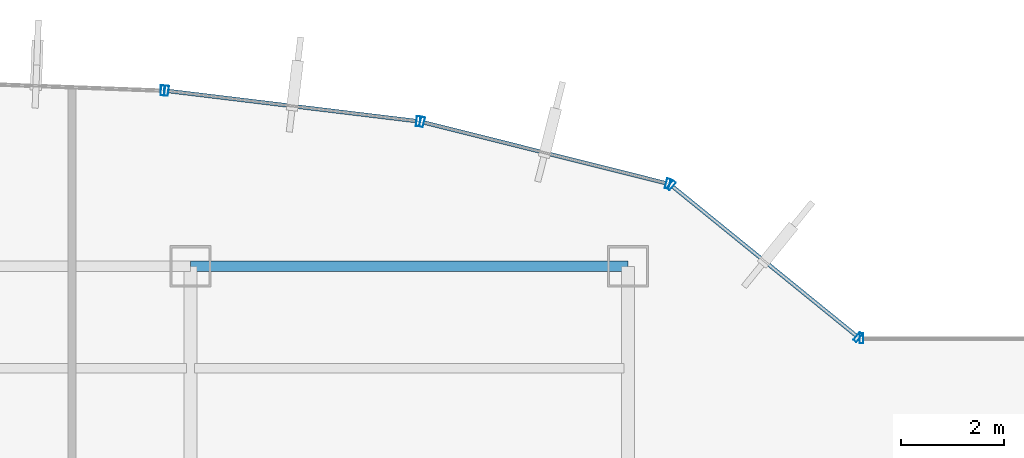
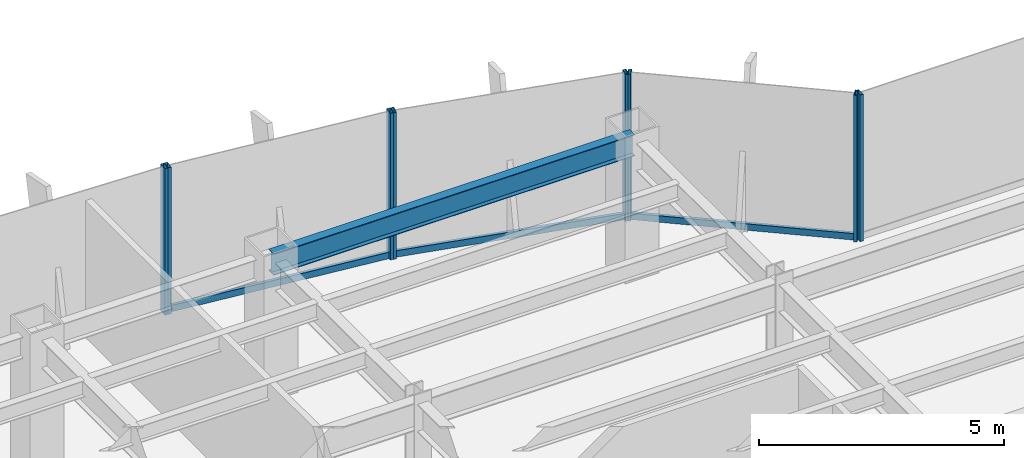
# One storey, part 18 of 26: 11 members, 1 beam, 5 elements without a shape of their own.
"""IFC4 building model written with IfcOpenShell, lengths in metres."""

from ifc_helpers import new_model, si_unit, derived_unit, direction, frame, origin, origin_2d, place, context, subcontext, project, spatial, hollow_rectangle, i_section, extrude, source, transform, mapped, material, material_profile, profile_set, type_object, element, aggregate, save


model = new_model("IFC4")

# Units and contexts
model_context = context("Model", 3, precision=1e-05, world=origin(), true_north=direction((0.0, 1.0)))
body_context = subcontext(model_context, "Body", "Model", "MODEL_VIEW")
ifc_project = project(units=[si_unit("LENGTHUNIT", "METRE"), si_unit("AREAUNIT", "SQUARE_METRE"), si_unit("VOLUMEUNIT", "CUBIC_METRE"), si_unit("PLANEANGLEUNIT", "RADIAN"), si_unit("MASSUNIT", "GRAM", prefix="KILO"), derived_unit("THERMALTRANSMITTANCEUNIT", [(si_unit("POWERUNIT", "WATT"), 1), (si_unit("LENGTHUNIT", "METRE"), -2), (si_unit("THERMODYNAMICTEMPERATUREUNIT", "KELVIN"), -1)])], contexts=[model_context])

# Site, building, storey
site_placement = place(None, origin())
site = spatial("IfcSite", under=ifc_project, at=site_placement, CompositionType="ELEMENT")
building_placement = place(site_placement, origin())
building = spatial("IfcBuilding", under=site, at=building_placement, Name="Skarnbrae Concourse Arena and Tower", CompositionType="ELEMENT")
storey_placement = place(building_placement, frame((0.0, 0.0, 92.300048828125)))
storey = spatial("IfcBuildingStorey", under=building, at=storey_placement, Name="L22", CompositionType="ELEMENT", Elevation=92.300048828125)

# Beam
ifc_material_1 = material(Name="Steel CSA G40.21 350W", Category="steel")
ifc_material_profile_1 = material_profile(ifc_material_1, i_section(OverallWidth=0.208984375, OverallDepth=0.532958984375, WebThickness=0.01025390625, FlangeThickness=0.015625, at=origin_2d()), Name="W530X92")
ifc_profile_set_1 = profile_set([ifc_material_profile_1], Name="Steel CSA G40.21 350W")
beam_type = type_object("IfcBeamType", Name="BM-SPAN-W530X92", PredefinedType="SPANDREL", material=ifc_profile_set_1)
shared_shape_1 = source(origin(), body_context, "Body", "SweptSolid", [
    extrude(i_section(OverallWidth=0.208984375, OverallDepth=0.532958984375, WebThickness=0.01025390625, FlangeThickness=0.015625, at=origin_2d()), origin(), (0.0, 0.0, 1.0), 8.5),
])
beam_placement = place(storey_placement, frame((33.5, 40.39990234375, 3.133544921875), z_axis=(1.0, 0.0, 0.0), x_axis=(0.0, 1.0, 0.0)))
element("IfcBeam", 1, at=beam_placement, inside=storey, type_object=beam_type, Name="L22 Perimeter spandrel Y40.4-4", PredefinedType="SPANDREL", context=body_context, shape_type="MappedRepresentation", body=[
    mapped(shared_shape_1, transform((0.0, 0.0, 0.0))),
])

# Curtain wall, member
ifc_material_2 = material(Name="Bronze anodised aluminium 6063-T6", Category="aluminium")
curtain_wall_type = type_object("IfcCurtainWallType", Name="CW-SYS-04-MIDZONE", PredefinedType="USERDEFINED", material=ifc_material_2)
curtain_wall_1_placement = place(storey_placement, origin())
curtain_wall_1 = element("IfcCurtainWall", 2, at=curtain_wall_1_placement, inside=storey, type_object=curtain_wall_type, Name="L22 Unitised curtain wall CW-L22-E08", ObjectType="UNITISED CURTAIN WALL", PredefinedType="USERDEFINED")
ifc_material_profile_2 = material_profile(ifc_material_2, hollow_rectangle(XDim=0.074951171875, YDim=0.159912109375, WallThickness=0.00439453125, at=origin_2d()), Name="ALU-TRAN-75X160")
ifc_profile_set_2 = profile_set([ifc_material_profile_2], Name="Bronze anodised aluminium 6063-T6")
member_type_1 = type_object("IfcMemberType", Name="CWT-CW-04", PredefinedType="USERDEFINED", material=ifc_profile_set_2)
shared_shape_2 = source(origin(), body_context, "Body", "SweptSolid", [
    extrude(hollow_rectangle(XDim=0.074951171875, YDim=0.159912109375, WallThickness=0.00439453125, at=origin_2d()), origin(), (0.0, 0.0, 1.0), 4.602294921875),
])
member_1_placement = place(storey_placement, frame((46.44189453125, 39.04736328125, 0.079833984375), z_axis=(-0.776251906445, 0.630422856297, 0.0), x_axis=(-0.630422856297, -0.776251906445, 0.0)))
member_1 = element("IfcMember", 3, at=member_1_placement, type_object=member_type_1, Name="CW-L22-E08 Transom 1", ObjectType="TRANSOM", PredefinedType="USERDEFINED", context=body_context, shape_type="MappedRepresentation", body=[
    mapped(shared_shape_2, transform((0.0, 0.0, 0.0))),
])

curtain_wall_2_placement = place(storey_placement, origin())
curtain_wall_2 = element("IfcCurtainWall", 4, at=curtain_wall_2_placement, inside=storey, type_object=curtain_wall_type, Name="L22 Unitised curtain wall CW-L22-E09", ObjectType="UNITISED CURTAIN WALL", PredefinedType="USERDEFINED")
shared_shape_3 = source(origin(), body_context, "Body", "SweptSolid", [
    extrude(hollow_rectangle(XDim=0.074951171875, YDim=0.159912109375, WallThickness=0.00439453125, at=origin_2d()), origin(), (0.0, 0.0, 1.0), 4.84716796875),
])
member_2_placement = place(storey_placement, frame((42.73828125, 42.014404296875, 0.079833984375), z_axis=(-0.969907992238, 0.243471736744, 0.0), x_axis=(-0.243471736744, -0.969907992238, 0.0)))
member_2 = element("IfcMember", 5, at=member_2_placement, type_object=member_type_1, Name="CW-L22-E09 Transom 1", ObjectType="TRANSOM", PredefinedType="USERDEFINED", context=body_context, shape_type="MappedRepresentation", body=[
    mapped(shared_shape_3, transform((0.0, 0.0, 0.0))),
])

curtain_wall_3_placement = place(storey_placement, origin())
curtain_wall_3 = element("IfcCurtainWall", 6, at=curtain_wall_3_placement, inside=storey, type_object=curtain_wall_type, Name="L22 Unitised curtain wall CW-L22-E10", ObjectType="UNITISED CURTAIN WALL", PredefinedType="USERDEFINED")
shared_shape_4 = source(origin(), body_context, "Body", "SweptSolid", [
    extrude(hollow_rectangle(XDim=0.074951171875, YDim=0.159912109375, WallThickness=0.00439453125, at=origin_2d()), origin(), (0.0, 0.0, 1.0), 4.851318359375),
])
member_3_placement = place(storey_placement, frame((37.8896484375, 43.2216796875, 0.079833984375), z_axis=(-0.992746710317, 0.120224661172, 0.0), x_axis=(-0.120224661172, -0.992746710317, 0.0)))
member_3 = element("IfcMember", 7, at=member_3_placement, type_object=member_type_1, Name="CW-L22-E10 Transom 1", ObjectType="TRANSOM", PredefinedType="USERDEFINED", context=body_context, shape_type="MappedRepresentation", body=[
    mapped(shared_shape_4, transform((0.0, 0.0, 0.0))),
])

curtain_wall_4_placement = place(storey_placement, origin())
curtain_wall_4 = element("IfcCurtainWall", 8, at=curtain_wall_4_placement, inside=storey, type_object=curtain_wall_type, Name="L22 Unitised curtain wall CW-L22-E07", ObjectType="UNITISED CURTAIN WALL", PredefinedType="USERDEFINED")
ifc_material_profile_3 = material_profile(ifc_material_2, hollow_rectangle(XDim=0.074951171875, YDim=0.195068359375, WallThickness=0.00439453125, at=origin_2d()), Name="ALU-MULL-75X195")
ifc_profile_set_3 = profile_set([ifc_material_profile_3], Name="Bronze anodised aluminium 6063-T6")
member_type_2 = type_object("IfcMemberType", Name="CWM-CW-04", PredefinedType="MULLION", material=ifc_profile_set_3)
shared_shape_5 = source(origin(), body_context, "Body", "SweptSolid", [
    extrude(hollow_rectangle(XDim=0.074951171875, YDim=0.195068359375, WallThickness=0.00439453125, at=origin_2d()), origin(), (0.0, 0.0, 1.0), 3.64990234375),
])
member_4_placement = place(storey_placement, frame((46.53759765625, 39.0, 0.0), z_axis=(0.0, 0.0, 1.0), x_axis=(-1.0, 0.0, 0.0)))
member_4 = element("IfcMember", 9, at=member_4_placement, type_object=member_type_2, Name="CW-L22-E07 Mullion 2", PredefinedType="MULLION", context=body_context, shape_type="MappedRepresentation", body=[
    mapped(shared_shape_5, transform((0.0, 0.0, 0.0))),
])
aggregate(curtain_wall_4, [member_4])

# Member
member_5_placement = place(storey_placement, frame((46.470947265625, 39.023681640625, 0.0), z_axis=(0.0, 0.0, 1.0), x_axis=(-0.776241200471, 0.630436038542, 0.0)))
member_5 = element("IfcMember", 10, at=member_5_placement, type_object=member_type_2, Name="CW-L22-E08 Mullion 1", PredefinedType="MULLION", context=body_context, shape_type="MappedRepresentation", body=[
    mapped(shared_shape_5, transform((0.0, 0.0, 0.0))),
])

member_6_placement = place(storey_placement, frame((42.840087890625, 41.972412109375, 0.0), z_axis=(0.0, 0.0, 1.0), x_axis=(-0.776241200471, 0.630436038542, 0.0)))
member_6 = element("IfcMember", 11, at=member_6_placement, type_object=member_type_2, Name="CW-L22-E08 Mullion 2", PredefinedType="MULLION", context=body_context, shape_type="MappedRepresentation", body=[
    mapped(shared_shape_5, transform((0.0, 0.0, 0.0))),
])

aggregate(curtain_wall_1, [member_5, member_6, member_1])

member_7_placement = place(storey_placement, frame((42.774658203125, 42.005126953125, 0.0), z_axis=(0.0, 0.0, 1.0), x_axis=(-0.969903046166, 0.243491439351, 0.0)))
member_7 = element("IfcMember", 12, at=member_7_placement, type_object=member_type_2, Name="CW-L22-E09 Mullion 1", PredefinedType="MULLION", context=body_context, shape_type="MappedRepresentation", body=[
    mapped(shared_shape_5, transform((0.0, 0.0, 0.0))),
])

member_8_placement = place(storey_placement, frame((38.00048828125, 43.20361328125, 0.0), z_axis=(0.0, 0.0, 1.0), x_axis=(-0.969903046166, 0.243491439351, 0.0)))
member_8 = element("IfcMember", 13, at=member_8_placement, type_object=member_type_2, Name="CW-L22-E09 Mullion 2", PredefinedType="MULLION", context=body_context, shape_type="MappedRepresentation", body=[
    mapped(shared_shape_5, transform((0.0, 0.0, 0.0))),
])

aggregate(curtain_wall_2, [member_7, member_8, member_2])

member_9_placement = place(storey_placement, frame((37.927001953125, 43.21728515625, 0.0), z_axis=(0.0, 0.0, 1.0), x_axis=(-0.992749371969, 0.120202680731, 0.0)))
member_9 = element("IfcMember", 14, at=member_9_placement, type_object=member_type_2, Name="CW-L22-E10 Mullion 1", PredefinedType="MULLION", context=body_context, shape_type="MappedRepresentation", body=[
    mapped(shared_shape_5, transform((0.0, 0.0, 0.0))),
])

member_10_placement = place(storey_placement, frame((33.0361328125, 43.8095703125, 0.0), z_axis=(0.0, 0.0, 1.0), x_axis=(-0.992749371969, 0.120202680731, 0.0)))
member_10 = element("IfcMember", 15, at=member_10_placement, type_object=member_type_2, Name="CW-L22-E10 Mullion 2", PredefinedType="MULLION", context=body_context, shape_type="MappedRepresentation", body=[
    mapped(shared_shape_5, transform((0.0, 0.0, 0.0))),
])

aggregate(curtain_wall_3, [member_9, member_10, member_3])

# Curtain wall, member
curtain_wall_5_placement = place(storey_placement, origin())
curtain_wall_5 = element("IfcCurtainWall", 16, at=curtain_wall_5_placement, inside=storey, type_object=curtain_wall_type, Name="L22 Unitised curtain wall CW-L22-E11", ObjectType="UNITISED CURTAIN WALL", PredefinedType="USERDEFINED")
member_11_placement = place(storey_placement, frame((32.96142578125, 43.8154296875, 0.0), z_axis=(0.0, 0.0, 1.0), x_axis=(-0.999308486252, 0.037182647889, 0.0)))
member_11 = element("IfcMember", 17, at=member_11_placement, type_object=member_type_2, Name="CW-L22-E11 Mullion 1", PredefinedType="MULLION", context=body_context, shape_type="MappedRepresentation", body=[
    mapped(shared_shape_5, transform((0.0, 0.0, 0.0))),
])
aggregate(curtain_wall_5, [member_11])

save(model, "model.ifc")
